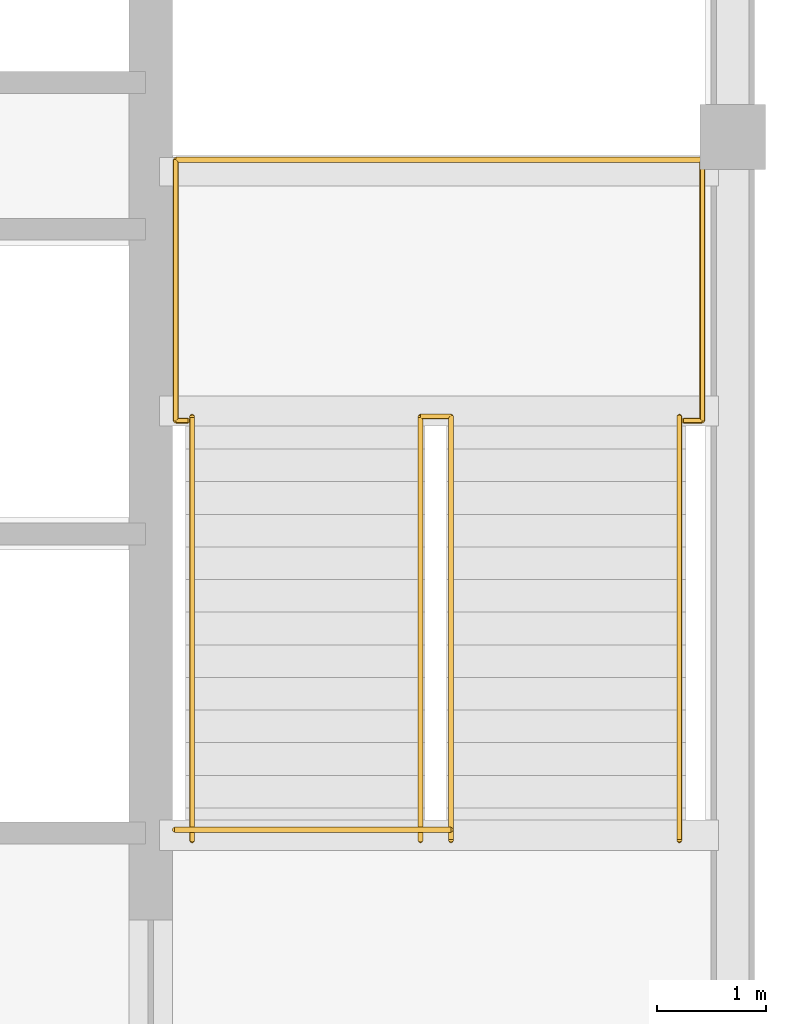
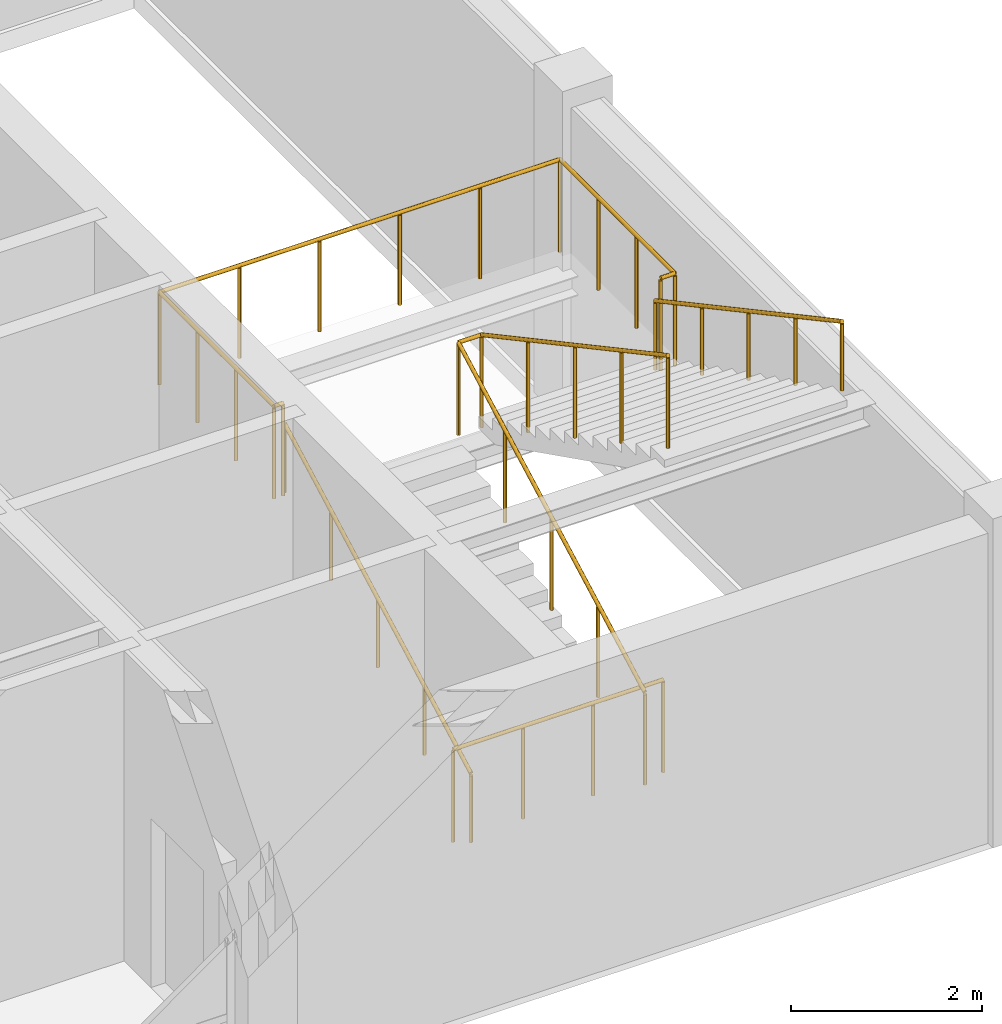
# One storey, part 130 of 130: 5 railings.
"""IFC4 building model written with IfcOpenShell, lengths in metres."""

from ifc_helpers import new_model, si_unit, direction, frame, origin, origin_2d, place, context, subcontext, project, spatial, circle, extrude, material, type_object, element, save


model = new_model("IFC4")

# Units and contexts
model_context = context("Model", 3, precision=1e-05, world=origin(), true_north=direction((0.0, 1.0)))
body_context = subcontext(model_context, "Body", "Model", "MODEL_VIEW")
ifc_project = project(units=[si_unit("LENGTHUNIT", "METRE"), si_unit("AREAUNIT", "SQUARE_METRE"), si_unit("VOLUMEUNIT", "CUBIC_METRE"), si_unit("PLANEANGLEUNIT", "RADIAN"), si_unit("MASSUNIT", "GRAM", prefix="KILO")], contexts=[model_context])

# Site, building, storey
site_placement = place(None, origin())
site = spatial("IfcSite", under=ifc_project, at=site_placement, CompositionType="ELEMENT")
building_placement = place(site_placement, origin())
building = spatial("IfcBuilding", under=site, at=building_placement, Name="Lykobir Media Centre", CompositionType="ELEMENT")
storey_placement = place(building_placement, frame((0.0, 0.0, 19.199951171875)))
storey = spatial("IfcBuildingStorey", under=building, at=storey_placement, Name="L04", CompositionType="ELEMENT", Elevation=19.199951171875)

# Railings
ifc_material = material(Name="Steel S355", Category="steel")
railing_type_1 = type_object("IfcRailingType", Name="GR-1200", PredefinedType="BALUSTRADE", material=ifc_material)
railing_1_placement = place(storey_placement, frame((129.8701171875, 74.6298828125, 0.0)))
element("IfcRailing", 1, at=railing_1_placement, inside=storey, type_object=railing_type_1, Name="ST-4 L04 arrival well guard", PredefinedType="BALUSTRADE", context=body_context, shape_type="SweptSolid", body=[
    extrude(circle(Radius=0.02392578125, at=origin_2d()), frame((0.0, 0.0, 1.17578125), z_axis=(1.0, 0.0, 0.0), x_axis=(0.0, 1.0, 0.0)), (0.0, 0.0, 1.0), 2.539794921875),
    extrude(circle(Radius=0.02099609375, at=origin_2d()), origin(), (0.0, 0.0, 1.0), 1.15185546875),
    extrude(circle(Radius=0.02099609375, at=origin_2d()), frame((0.8466796875, 0.0, 0.0)), (0.0, 0.0, 1.0), 1.15185546875),
    extrude(circle(Radius=0.02099609375, at=origin_2d()), frame((1.693115234375, 0.0, 0.0)), (0.0, 0.0, 1.0), 1.15185546875),
    extrude(circle(Radius=0.02099609375, at=origin_2d()), frame((2.539794921875, 0.0, 0.0)), (0.0, 0.0, 1.0), 1.15185546875),
])
railing_2_placement = place(storey_placement, frame((132.1298828125, 74.530029296875, 0.0)))
element("IfcRailing", 2, at=railing_2_placement, inside=storey, type_object=railing_type_1, Name="ST-4 L04 inner well and slot guard", PredefinedType="BALUSTRADE", context=body_context, shape_type="SweptSolid", body=[
    extrude(circle(Radius=0.02392578125, at=origin_2d()), frame((0.0, 0.0, 1.17578125), z_axis=(0.0, 0.880456940745, 0.474126117709), x_axis=(-1.0, 0.0, 0.0)), (0.0, 0.0, 1.0), 4.429443359375),
    extrude(circle(Radius=0.02392578125, at=origin_2d()), frame((0.0, 3.89990234375, 3.27587890625), z_axis=(1.0, 0.0, 0.0), x_axis=(0.0, 1.0, 0.0)), (0.0, 0.0, 1.0), 0.280029296875),
    extrude(circle(Radius=0.02392578125, at=origin_2d()), frame((0.280029296875, 3.89990234375, 3.27587890625), z_axis=(0.0, -0.88047994924, 0.474083388219), x_axis=(1.0, 0.0, 0.0)), (0.0, 0.0, 1.0), 4.42919921875),
    extrude(circle(Radius=0.02099609375, at=origin_2d()), origin(), (0.0, 0.0, 1.0), 1.15185546875),
    extrude(circle(Radius=0.02099609375, at=origin_2d()), frame((0.0, 0.97509765625, 0.52490234375)), (0.0, 0.0, 1.0), 1.15185546875),
    extrude(circle(Radius=0.02099609375, at=origin_2d()), frame((0.0, 1.949951171875, 1.050048828125)), (0.0, 0.0, 1.0), 1.15185546875),
    extrude(circle(Radius=0.02099609375, at=origin_2d()), frame((0.0, 2.9248046875, 1.5751953125)), (0.0, 0.0, 1.0), 1.15185546875),
    extrude(circle(Radius=0.02099609375, at=origin_2d()), frame((0.0, 3.89990234375, 2.10009765625)), (0.0, 0.0, 1.0), 1.15185546875),
    extrude(circle(Radius=0.02099609375, at=origin_2d()), frame((0.280029296875, 3.89990234375, 2.10009765625)), (0.0, 0.0, 1.0), 1.15185546875),
    extrude(circle(Radius=0.02099609375, at=origin_2d()), frame((0.280029296875, 2.9248046875, 2.625)), (0.0, 0.0, 1.0), 1.15185546875),
    extrude(circle(Radius=0.02099609375, at=origin_2d()), frame((0.280029296875, 1.949951171875, 3.14990234375)), (0.0, 0.0, 1.0), 1.15185546875),
    extrude(circle(Radius=0.02099609375, at=origin_2d()), frame((0.280029296875, 0.97509765625, 3.675048828125)), (0.0, 0.0, 1.0), 1.15185546875),
    extrude(circle(Radius=0.02099609375, at=origin_2d()), frame((0.280029296875, 0.0, 4.199951171875)), (0.0, 0.0, 1.0), 1.15185546875),
])
railing_3_placement = place(storey_placement, frame((129.989990234375, 78.389892578125, 2.10009765625)))
element("IfcRailing", 3, at=railing_3_placement, inside=storey, type_object=railing_type_1, Name="ST-4 L04 half-landing perimeter guard", PredefinedType="BALUSTRADE", context=body_context, shape_type="SweptSolid", body=[
    extrude(circle(Radius=0.02392578125, at=origin_2d()), frame((0.0, 0.0, 1.17578125), z_axis=(-1.0, 0.0, 0.0), x_axis=(0.0, -1.0, 0.0)), (0.0, 0.0, 1.0), 0.110107421875),
    extrude(circle(Radius=0.02392578125, at=origin_2d()), frame((-0.110107421875, 0.0, 1.17578125), z_axis=(0.0, 1.0, 0.0), x_axis=(-1.0, 0.0, 0.0)), (0.0, 0.0, 1.0), 2.400146484375),
    extrude(circle(Radius=0.02392578125, at=origin_2d()), frame((-0.110107421875, 2.400146484375, 1.17578125), z_axis=(1.0, 0.0, 0.0), x_axis=(0.0, 1.0, 0.0)), (0.0, 0.0, 1.0), 4.840087890625),
    extrude(circle(Radius=0.02392578125, at=origin_2d()), frame((4.72998046875, 2.400146484375, 1.17578125), z_axis=(0.0, -1.0, 0.0), x_axis=(1.0, 0.0, 0.0)), (0.0, 0.0, 1.0), 2.400146484375),
    extrude(circle(Radius=0.02392578125, at=origin_2d()), frame((4.72998046875, 0.0, 1.17578125), z_axis=(-1.0, 0.0, 0.0), x_axis=(0.0, -1.0, 0.0)), (0.0, 0.0, 1.0), 0.169921875),
    extrude(circle(Radius=0.02099609375, at=origin_2d()), origin(), (0.0, 0.0, 1.0), 1.15185546875),
    extrude(circle(Radius=0.02099609375, at=origin_2d()), frame((-0.110107421875, 0.0, 0.0)), (0.0, 0.0, 1.0), 1.15185546875),
    extrude(circle(Radius=0.02099609375, at=origin_2d()), frame((-0.110107421875, 0.800048828125, 0.0)), (0.0, 0.0, 1.0), 1.15185546875),
    extrude(circle(Radius=0.02099609375, at=origin_2d()), frame((-0.110107421875, 1.60009765625, 0.0)), (0.0, 0.0, 1.0), 1.15185546875),
    extrude(circle(Radius=0.02099609375, at=origin_2d()), frame((-0.110107421875, 2.400146484375, 0.0)), (0.0, 0.0, 1.0), 1.15185546875),
    extrude(circle(Radius=0.02099609375, at=origin_2d()), frame((0.85791015625, 2.400146484375, 0.0)), (0.0, 0.0, 1.0), 1.15185546875),
    extrude(circle(Radius=0.02099609375, at=origin_2d()), frame((1.825927734375, 2.400146484375, 0.0)), (0.0, 0.0, 1.0), 1.15185546875),
    extrude(circle(Radius=0.02099609375, at=origin_2d()), frame((2.7939453125, 2.400146484375, 0.0)), (0.0, 0.0, 1.0), 1.15185546875),
    extrude(circle(Radius=0.02099609375, at=origin_2d()), frame((3.761962890625, 2.400146484375, 0.0)), (0.0, 0.0, 1.0), 1.15185546875),
    extrude(circle(Radius=0.02099609375, at=origin_2d()), frame((4.72998046875, 2.400146484375, 0.0)), (0.0, 0.0, 1.0), 1.15185546875),
    extrude(circle(Radius=0.02099609375, at=origin_2d()), frame((4.72998046875, 1.60009765625, 0.0)), (0.0, 0.0, 1.0), 1.15185546875),
    extrude(circle(Radius=0.02099609375, at=origin_2d()), frame((4.72998046875, 0.800048828125, 0.0)), (0.0, 0.0, 1.0), 1.15185546875),
    extrude(circle(Radius=0.02099609375, at=origin_2d()), frame((4.72998046875, 0.0, 0.0)), (0.0, 0.0, 1.0), 1.15185546875),
    extrude(circle(Radius=0.02099609375, at=origin_2d()), frame((4.56005859375, 0.0, 0.0)), (0.0, 0.0, 1.0), 1.15185546875),
])
railing_type_2 = type_object("IfcRailingType", Name="HR-0900", PredefinedType="HANDRAIL", material=ifc_material)
railing_4_placement = place(storey_placement, frame((130.030029296875, 74.530029296875, 0.0)))
element("IfcRailing", 4, at=railing_4_placement, inside=storey, type_object=railing_type_2, Name="ST-4 L04 F1 wall handrail", PredefinedType="HANDRAIL", context=body_context, shape_type="SweptSolid", body=[
    extrude(circle(Radius=0.02392578125, at=origin_2d()), frame((0.0, 0.0, 0.8759765625), z_axis=(0.0, 0.880456940745, 0.474126117709), x_axis=(-1.0, 0.0, 0.0)), (0.0, 0.0, 1.0), 4.429443359375),
    extrude(circle(Radius=0.02099609375, at=origin_2d()), origin(), (0.0, 0.0, 1.0), 0.851806640625),
    extrude(circle(Radius=0.02099609375, at=origin_2d()), frame((0.0, 0.97509765625, 0.52490234375)), (0.0, 0.0, 1.0), 0.851806640625),
    extrude(circle(Radius=0.02099609375, at=origin_2d()), frame((0.0, 1.949951171875, 1.050048828125)), (0.0, 0.0, 1.0), 0.851806640625),
    extrude(circle(Radius=0.02099609375, at=origin_2d()), frame((0.0, 2.9248046875, 1.5751953125)), (0.0, 0.0, 1.0), 0.851806640625),
    extrude(circle(Radius=0.02099609375, at=origin_2d()), frame((0.0, 3.89990234375, 2.10009765625)), (0.0, 0.0, 1.0), 0.851806640625),
])
railing_5_placement = place(storey_placement, frame((134.510009765625, 78.429931640625, 2.10009765625)))
element("IfcRailing", 5, at=railing_5_placement, inside=storey, type_object=railing_type_2, Name="ST-4 L04 F2 wall handrail", PredefinedType="HANDRAIL", context=body_context, shape_type="SweptSolid", body=[
    extrude(circle(Radius=0.02392578125, at=origin_2d()), frame((0.0, 0.0, 0.8759765625), z_axis=(0.0, -0.88047994924, 0.474083388219), x_axis=(1.0, 0.0, 0.0)), (0.0, 0.0, 1.0), 4.42919921875),
    extrude(circle(Radius=0.02099609375, at=origin_2d()), origin(), (0.0, 0.0, 1.0), 0.851806640625),
    extrude(circle(Radius=0.02099609375, at=origin_2d()), frame((0.0, -0.97509765625, 0.52490234375)), (0.0, 0.0, 1.0), 0.851806640625),
    extrude(circle(Radius=0.02099609375, at=origin_2d()), frame((0.0, -1.949951171875, 1.0498046875)), (0.0, 0.0, 1.0), 0.851806640625),
    extrude(circle(Radius=0.02099609375, at=origin_2d()), frame((0.0, -2.9248046875, 1.574951171875)), (0.0, 0.0, 1.0), 0.851806640625),
    extrude(circle(Radius=0.02099609375, at=origin_2d()), frame((0.0, -3.89990234375, 2.099853515625)), (0.0, 0.0, 1.0), 0.851806640625),
])

save(model, "model.ifc")
